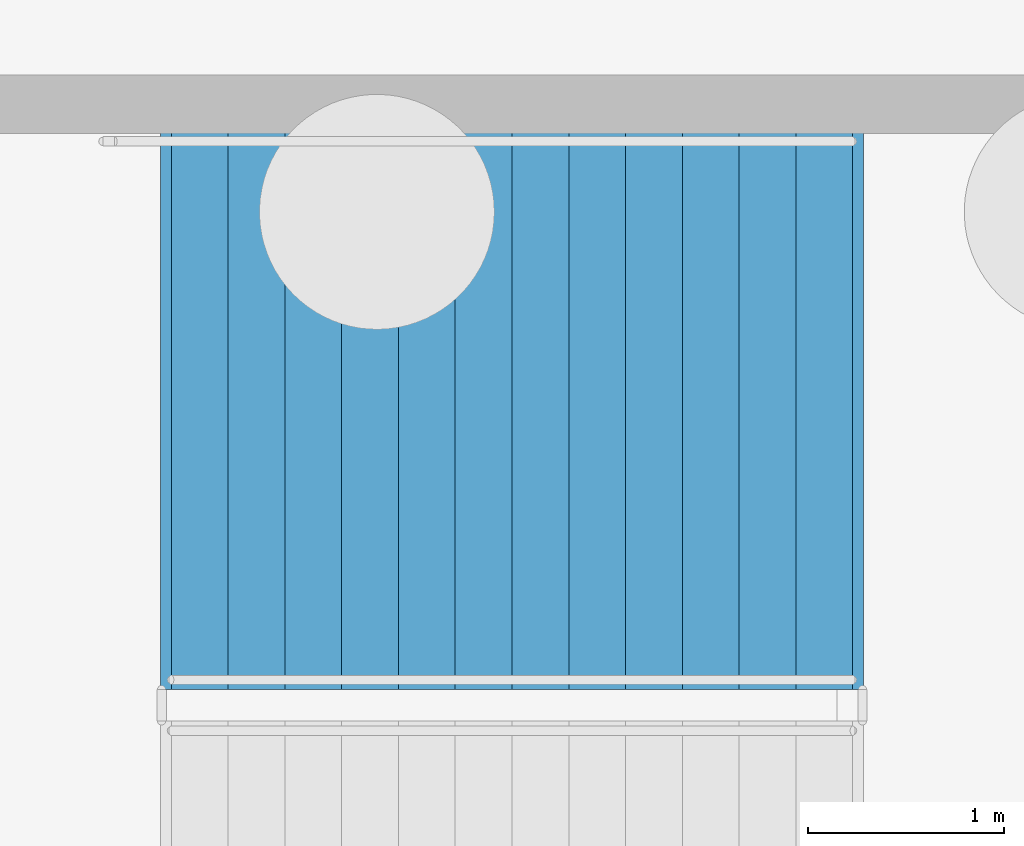
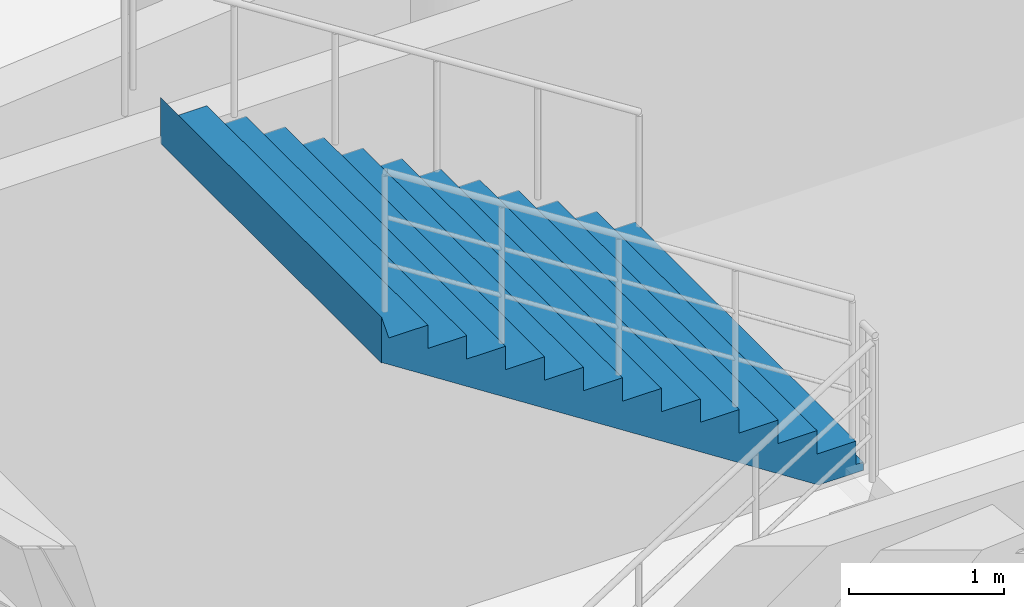
# One storey, part 51 of 68: 1 stair flight, 1 element without a shape of its own.
"""IFC4 building model written with IfcOpenShell, lengths in metres."""

from ifc_helpers import new_model, si_unit, direction, frame, origin, place, context, subcontext, project, spatial, polyline, outline, extrude, material, type_object, element, aggregate, save


model = new_model("IFC4")

# Units and contexts
model_context = context("Model", 3, precision=1e-05, world=origin(), true_north=direction((0.0, 1.0)))
body_context = subcontext(model_context, "Body", "Model", "MODEL_VIEW")
ifc_project = project(units=[si_unit("LENGTHUNIT", "METRE"), si_unit("AREAUNIT", "SQUARE_METRE"), si_unit("VOLUMEUNIT", "CUBIC_METRE"), si_unit("PLANEANGLEUNIT", "RADIAN"), si_unit("MASSUNIT", "GRAM", prefix="KILO")], contexts=[model_context])

# Site, building, storey
site_placement = place(None, origin())
site = spatial("IfcSite", under=ifc_project, at=site_placement, CompositionType="ELEMENT")
building_placement = place(site_placement, origin())
building = spatial("IfcBuilding", under=site, at=building_placement, Name="Cinderbank Siding Concert Hall", CompositionType="ELEMENT")
storey_placement = place(building_placement, frame((0.0, 0.0, -4.800048828125)))
storey = spatial("IfcBuildingStorey", under=building, at=storey_placement, Name="B1", CompositionType="ELEMENT", Elevation=-4.800048828125)

# Stair, stair flight
ifc_material = material(Name="Reinforced concrete AS 3600 N50 (50 MPa)", Category="concrete")
stair_type = type_object("IfcStairType", Name="STR-J Dogleg Exit Stair 2850mm", PredefinedType="HALF_TURN_STAIR", material=ifc_material)
stair_placement = place(storey_placement, origin())
stair = element("IfcStair", 1, at=stair_placement, inside=storey, type_object=stair_type, Name="B1 Fire-isolated Exit Stair ST-01", PredefinedType="HALF_TURN_STAIR")
stair_flight_type = type_object("IfcStairFlightType", Name="SFL-J Concrete Stair Flight 2850mm", PredefinedType="STRAIGHT", material=ifc_material)
stair_flight_placement = place(storey_placement, frame((122.6298828125, 63.18505859375, 2.400146484375), z_axis=(0.0, 0.0, 1.0), x_axis=(-1.0, 0.0, 0.0)))
stair_flight = element("IfcStairFlight", 2, at=stair_flight_placement, type_object=stair_flight_type, Name="ST-01 flight 2", NumberOfRisers=13, NumberOfTreads=12, PredefinedType="STRAIGHT", RiserHeight=0.184615385, TreadLength=0.29, context=body_context, shape_type="SweptSolid", body=[
    extrude(outline(polyline([(0.0, 0.0), (0.0, 0.1845703125), (0.2900390625, 0.1845703125), (0.2900390625, 0.369140625), (0.580078125, 0.369140625), (0.580078125, 0.553955078125), (0.8701171875, 0.553955078125), (0.8701171875, 0.738525390625), (1.159912109375, 0.738525390625), (1.159912109375, 0.923095703125), (1.449951171875, 0.923095703125), (1.449951171875, 1.107666015625), (1.739990234375, 1.107666015625), (1.739990234375, 1.292236328125), (2.030029296875, 1.292236328125), (2.030029296875, 1.476806640625), (2.320068359375, 1.476806640625), (2.320068359375, 1.66162109375), (2.610107421875, 1.66162109375), (2.610107421875, 1.84619140625), (2.89990234375, 1.84619140625), (2.89990234375, 2.03076171875), (3.18994140625, 2.03076171875), (3.18994140625, 2.21533203125), (3.47998046875, 2.21533203125), (3.534912109375, 2.39990234375), (3.534912109375, 2.03759765625), (3.53466796875, 2.037841796875), (3.53466796875, 2.0380859375), (3.53466796875, 2.038330078125), (3.53466796875, 2.03857421875), (3.53466796875, 2.038818359375), (3.53466796875, 2.0390625), (3.53466796875, 2.039306640625), (3.53466796875, 2.03955078125), (3.53466796875, 2.039794921875), (3.53466796875, 2.0400390625), (3.53466796875, 2.040283203125), (3.53466796875, 2.04052734375), (3.534423828125, 2.04052734375), (3.534423828125, 2.040283203125), (3.534423828125, 2.0400390625), (3.534423828125, 2.039794921875), (3.534423828125, 2.03955078125), (3.534423828125, 2.039306640625), (3.534423828125, 2.0390625), (3.534423828125, 2.038818359375), (3.534423828125, 2.03857421875), (3.534423828125, 2.038330078125), (3.534423828125, 2.0380859375), (3.534423828125, 2.037841796875), (3.534423828125, 2.03759765625), (3.5341796875, 2.037841796875), (3.5341796875, 2.0380859375), (3.5341796875, 2.038330078125), (3.5341796875, 2.03857421875), (3.5341796875, 2.038818359375), (3.5341796875, 2.0390625), (3.5341796875, 2.039306640625), (3.5341796875, 2.03955078125), (3.5341796875, 2.039794921875), (3.5341796875, 2.0400390625), (3.5341796875, 2.040283203125), (3.5341796875, 2.04052734375), (3.533935546875, 2.04052734375), (3.533935546875, 2.040283203125), (3.533935546875, 2.0400390625), (3.533935546875, 2.039794921875), (3.533935546875, 2.03955078125), (3.533935546875, 2.039306640625), (3.533935546875, 2.0390625), (3.533935546875, 2.038818359375), (3.533935546875, 2.03857421875), (3.533935546875, 2.038330078125), (3.533935546875, 2.0380859375), (3.533935546875, 2.037841796875), (3.533935546875, 2.03759765625), (3.53369140625, 2.037841796875), (3.53369140625, 2.0380859375), (3.53369140625, 2.038330078125), (3.53369140625, 2.03857421875), (3.53369140625, 2.038818359375), (3.53369140625, 2.0390625), (3.53369140625, 2.039306640625), (3.53369140625, 2.03955078125), (3.53369140625, 2.039794921875), (3.53369140625, 2.0400390625), (3.53369140625, 2.040283203125), (3.53369140625, 2.04052734375), (3.533447265625, 2.04052734375), (3.533447265625, 2.040283203125), (3.533447265625, 2.0400390625), (3.533447265625, 2.039794921875), (3.533447265625, 2.03955078125), (3.533447265625, 2.039306640625), (3.533447265625, 2.0390625), (3.533447265625, 2.038818359375), (3.533447265625, 2.03857421875), (3.533447265625, 2.038330078125), (3.533447265625, 2.0380859375), (3.533447265625, 2.037841796875), (3.533447265625, 2.03759765625), (3.533203125, 2.037841796875), (3.533203125, 2.0380859375), (3.533203125, 2.038330078125), (3.533203125, 2.03857421875), (3.533203125, 2.038818359375), (3.533203125, 2.0390625), (3.533203125, 2.039306640625), (3.533203125, 2.03955078125), (3.533203125, 2.039794921875), (3.533203125, 2.0400390625), (3.533203125, 2.040283203125), (3.533203125, 2.04052734375), (3.532958984375, 2.04052734375), (3.532958984375, 2.040283203125), (3.532958984375, 2.0400390625), (3.532958984375, 2.039794921875), (3.532958984375, 2.03955078125), (3.532958984375, 2.039306640625), (3.532958984375, 2.0390625), (3.532958984375, 2.038818359375), (3.532958984375, 2.03857421875), (3.532958984375, 2.038330078125), (3.532958984375, 2.0380859375), (3.532958984375, 2.037841796875), (3.532958984375, 2.03759765625), (3.53271484375, 2.037841796875), (3.53271484375, 2.0380859375), (3.53271484375, 2.038330078125), (3.53271484375, 2.03857421875), (3.53271484375, 2.038818359375), (3.53271484375, 2.0390625), (3.53271484375, 2.039306640625), (3.53271484375, 2.03955078125), (3.53271484375, 2.039794921875), (3.53271484375, 2.0400390625), (3.53271484375, 2.040283203125), (3.53271484375, 2.04052734375), (3.532470703125, 2.04052734375), (3.532470703125, 2.040283203125), (3.532470703125, 2.0400390625), (3.532470703125, 2.039794921875), (3.532470703125, 2.03955078125), (3.532470703125, 2.039306640625), (3.532470703125, 2.0390625), (3.532470703125, 2.038818359375), (3.532470703125, 2.03857421875), (3.532470703125, 2.038330078125), (3.532470703125, 2.0380859375), (3.532470703125, 2.037841796875), (3.532470703125, 2.03759765625), (3.5322265625, 2.037841796875), (3.5322265625, 2.0380859375), (3.5322265625, 2.038330078125), (3.5322265625, 2.03857421875), (3.5322265625, 2.038818359375), (3.5322265625, 2.0390625), (3.5322265625, 2.039306640625), (3.5322265625, 2.03955078125), (3.5322265625, 2.039794921875), (3.5322265625, 2.0400390625), (3.5322265625, 2.040283203125), (3.5322265625, 2.04052734375), (3.531982421875, 2.04052734375), (3.531982421875, 2.040283203125), (3.531982421875, 2.0400390625), (3.531982421875, 2.039794921875), (3.531982421875, 2.03955078125), (3.531982421875, 2.039306640625), (3.531982421875, 2.0390625), (3.531982421875, 2.038818359375), (3.531982421875, 2.03857421875), (3.531982421875, 2.038330078125), (3.531982421875, 2.0380859375), (3.531982421875, 2.037841796875), (3.531982421875, 2.03759765625), (3.53173828125, 2.037841796875), (3.53173828125, 2.0380859375), (3.53173828125, 2.038330078125), (3.53173828125, 2.03857421875), (3.53173828125, 2.038818359375), (3.53173828125, 2.0390625), (3.53173828125, 2.039306640625), (3.53173828125, 2.03955078125), (3.53173828125, 2.039794921875), (3.53173828125, 2.0400390625), (3.53173828125, 2.040283203125), (3.53173828125, 2.04052734375), (3.531494140625, 2.04052734375), (3.531494140625, 2.040283203125), (3.531494140625, 2.0400390625), (3.531494140625, 2.039794921875), (3.531494140625, 2.03955078125), (3.531494140625, 2.039306640625), (3.531494140625, 2.0390625), (3.531494140625, 2.038818359375), (3.531494140625, 2.03857421875), (3.531494140625, 2.038330078125), (3.531494140625, 2.0380859375), (3.531494140625, 2.037841796875), (3.531494140625, 2.03759765625), (3.53125, 2.037841796875), (3.53125, 2.0380859375), (3.53125, 2.038330078125), (3.53125, 2.03857421875), (3.53125, 2.038818359375), (3.53125, 2.0390625), (3.53125, 2.039306640625), (3.53125, 2.03955078125), (3.53125, 2.039794921875), (3.53125, 2.0400390625), (3.53125, 2.040283203125), (3.53125, 2.04052734375), (3.531005859375, 2.04052734375), (3.531005859375, 2.040283203125), (3.531005859375, 2.0400390625), (3.531005859375, 2.039794921875), (3.531005859375, 2.03955078125), (3.531005859375, 2.039306640625), (3.531005859375, 2.0390625), (3.531005859375, 2.038818359375), (3.531005859375, 2.03857421875), (3.531005859375, 2.038330078125), (3.531005859375, 2.0380859375), (3.531005859375, 2.037841796875), (3.531005859375, 2.03759765625), (3.53076171875, 2.037841796875), (3.53076171875, 2.0380859375), (3.53076171875, 2.038330078125), (3.53076171875, 2.03857421875), (3.53076171875, 2.038818359375), (3.53076171875, 2.0390625), (3.53076171875, 2.039306640625), (3.53076171875, 2.03955078125), (3.53076171875, 2.039794921875), (3.53076171875, 2.0400390625), (3.53076171875, 2.040283203125), (3.53076171875, 2.04052734375), (3.530517578125, 2.04052734375), (3.530517578125, 2.040283203125), (3.530517578125, 2.0400390625), (3.530517578125, 2.039794921875), (3.530517578125, 2.03955078125), (3.530517578125, 2.039306640625), (3.530517578125, 2.0390625), (3.530517578125, 2.038818359375), (3.530517578125, 2.03857421875), (3.530517578125, 2.038330078125), (3.530517578125, 2.0380859375), (3.530517578125, 2.037841796875), (3.530517578125, 2.03759765625), (3.5302734375, 2.037841796875), (3.5302734375, 2.0380859375), (3.5302734375, 2.038330078125), (3.5302734375, 2.03857421875), (3.5302734375, 2.038818359375), (3.5302734375, 2.0390625), (3.5302734375, 2.039306640625), (3.5302734375, 2.03955078125), (3.5302734375, 2.039794921875), (3.5302734375, 2.0400390625), (3.5302734375, 2.040283203125), (3.5302734375, 2.04052734375), (3.530029296875, 2.04052734375), (3.530029296875, 2.040283203125), (3.530029296875, 2.0400390625), (3.530029296875, 2.039794921875), (3.530029296875, 2.03955078125), (3.530029296875, 2.039306640625), (3.530029296875, 2.0390625), (3.530029296875, 2.038818359375), (3.530029296875, 2.03857421875), (3.530029296875, 2.038330078125), (3.530029296875, 2.0380859375), (3.530029296875, 2.037841796875), (3.530029296875, 2.03759765625), (3.52978515625, 2.037841796875), (3.52978515625, 2.0380859375), (3.52978515625, 2.038330078125), (3.52978515625, 2.03857421875), (3.52978515625, 2.038818359375), (3.52978515625, 2.0390625), (3.52978515625, 2.039306640625), (3.52978515625, 2.03955078125), (3.52978515625, 2.039794921875), (3.52978515625, 2.0400390625), (3.52978515625, 2.040283203125), (3.52978515625, 2.04052734375), (3.529541015625, 2.04052734375), (3.529541015625, 2.040283203125), (3.529541015625, 2.0400390625), (3.529541015625, 2.039794921875), (3.529541015625, 2.03955078125), (3.529541015625, 2.039306640625), (3.529541015625, 2.0390625), (3.529541015625, 2.038818359375), (3.529541015625, 2.03857421875), (3.529541015625, 2.038330078125), (3.529541015625, 2.0380859375), (3.529541015625, 2.037841796875), (3.529541015625, 2.03759765625), (3.529296875, 2.037841796875), (3.529296875, 2.0380859375), (3.529296875, 2.038330078125), (3.529296875, 2.03857421875), (3.529296875, 2.038818359375), (3.529296875, 2.0390625), (3.529296875, 2.039306640625), (3.529296875, 2.03955078125), (3.529296875, 2.039794921875), (3.529296875, 2.0400390625), (3.529296875, 2.040283203125), (3.529296875, 2.04052734375), (3.529052734375, 2.04052734375), (3.529052734375, 2.040283203125), (3.529052734375, 2.0400390625), (3.529052734375, 2.039794921875), (3.529052734375, 2.03955078125), (3.529052734375, 2.039306640625), (3.529052734375, 2.0390625), (3.529052734375, 2.038818359375), (3.529052734375, 2.03857421875), (3.529052734375, 2.038330078125), (3.529052734375, 2.0380859375), (3.529052734375, 2.037841796875), (3.529052734375, 2.03759765625), (3.52880859375, 2.037841796875), (3.52880859375, 2.0380859375), (3.52880859375, 2.038330078125), (3.52880859375, 2.03857421875), (3.52880859375, 2.038818359375), (3.52880859375, 2.0390625), (3.52880859375, 2.039306640625), (3.52880859375, 2.03955078125), (3.52880859375, 2.039794921875), (3.52880859375, 2.0400390625), (3.52880859375, 2.040283203125), (3.52880859375, 2.04052734375), (3.528564453125, 2.04052734375), (3.528564453125, 2.040283203125), (3.528564453125, 2.0400390625), (3.528564453125, 2.039794921875), (3.528564453125, 2.03955078125), (3.528564453125, 2.039306640625), (3.528564453125, 2.0390625), (3.528564453125, 2.038818359375), (3.528564453125, 2.03857421875), (3.528564453125, 2.038330078125), (3.528564453125, 2.0380859375), (3.528564453125, 2.037841796875), (3.528564453125, 2.03759765625), (0.279052734375, -0.06396484375), (-0.048583984375, -0.063720703125), (-0.048583984375, -0.0634765625), (-0.048583984375, -0.063232421875), (-0.048583984375, -0.06298828125), (-0.048583984375, -0.062744140625), (-0.048583984375, -0.0625), (-0.048583984375, -0.062255859375), (-0.048583984375, -0.06201171875), (-0.048583984375, -0.061767578125), (-0.048583984375, -0.0615234375), (-0.048583984375, -0.061279296875), (-0.048583984375, -0.06103515625), (-0.048828125, -0.06103515625), (-0.048828125, -0.061279296875), (-0.048828125, -0.0615234375), (-0.048828125, -0.061767578125), (-0.048828125, -0.06201171875), (-0.048828125, -0.062255859375), (-0.048828125, -0.0625), (-0.048828125, -0.062744140625), (-0.048828125, -0.06298828125), (-0.048828125, -0.063232421875), (-0.048828125, -0.0634765625), (-0.048828125, -0.063720703125), (-0.048828125, -0.06396484375), (-0.049072265625, -0.063720703125), (-0.049072265625, -0.0634765625), (-0.049072265625, -0.063232421875), (-0.049072265625, -0.06298828125), (-0.049072265625, -0.062744140625), (-0.049072265625, -0.0625), (-0.049072265625, -0.062255859375), (-0.049072265625, -0.06201171875), (-0.049072265625, -0.061767578125), (-0.049072265625, -0.0615234375), (-0.049072265625, -0.061279296875), (-0.049072265625, -0.06103515625), (-0.04931640625, -0.06103515625), (-0.04931640625, -0.061279296875), (-0.04931640625, -0.0615234375), (-0.04931640625, -0.061767578125), (-0.04931640625, -0.06201171875), (-0.04931640625, -0.062255859375), (-0.04931640625, -0.0625), (-0.04931640625, -0.062744140625), (-0.04931640625, -0.06298828125), (-0.04931640625, -0.063232421875), (-0.04931640625, -0.0634765625), (-0.04931640625, -0.063720703125), (-0.04931640625, -0.06396484375), (-0.049560546875, -0.063720703125), (-0.049560546875, -0.0634765625), (-0.049560546875, -0.063232421875), (-0.049560546875, -0.06298828125), (-0.049560546875, -0.062744140625), (-0.049560546875, -0.0625), (-0.049560546875, -0.062255859375), (-0.049560546875, -0.06201171875), (-0.049560546875, -0.061767578125), (-0.049560546875, -0.0615234375), (-0.049560546875, -0.061279296875), (-0.049560546875, -0.06103515625), (-0.0498046875, -0.06103515625), (-0.0498046875, -0.061279296875), (-0.0498046875, -0.0615234375), (-0.0498046875, -0.061767578125), (-0.0498046875, -0.06201171875), (-0.0498046875, -0.062255859375), (-0.0498046875, -0.0625), (-0.0498046875, -0.062744140625), (-0.0498046875, -0.06298828125), (-0.0498046875, -0.063232421875), (-0.0498046875, -0.0634765625), (-0.0498046875, -0.063720703125), (-0.0498046875, -0.06396484375), (-0.050048828125, -0.063720703125), (-0.050048828125, -0.0634765625), (-0.050048828125, -0.063232421875), (-0.050048828125, -0.06298828125), (-0.050048828125, -0.062744140625), (-0.050048828125, -0.0625), (-0.050048828125, -0.062255859375), (-0.050048828125, -0.06201171875), (-0.050048828125, -0.061767578125), (-0.050048828125, -0.0615234375), (-0.050048828125, -0.061279296875), (-0.050048828125, -0.06103515625), (-0.05029296875, -0.06103515625), (-0.05029296875, -0.061279296875), (-0.05029296875, -0.0615234375), (-0.05029296875, -0.061767578125), (-0.05029296875, -0.06201171875), (-0.05029296875, -0.062255859375), (-0.05029296875, -0.0625), (-0.05029296875, -0.062744140625), (-0.05029296875, -0.06298828125), (-0.05029296875, -0.063232421875), (-0.05029296875, -0.0634765625), (-0.05029296875, -0.063720703125), (-0.05029296875, -0.06396484375), (-0.050537109375, -0.063720703125), (-0.050537109375, -0.0634765625), (-0.050537109375, -0.063232421875), (-0.050537109375, -0.06298828125), (-0.050537109375, -0.062744140625), (-0.050537109375, -0.0625), (-0.050537109375, -0.062255859375), (-0.050537109375, -0.06201171875), (-0.050537109375, -0.061767578125), (-0.050537109375, -0.0615234375), (-0.050537109375, -0.061279296875), (-0.050537109375, -0.06103515625), (-0.05078125, -0.06103515625), (-0.05078125, -0.061279296875), (-0.05078125, -0.0615234375), (-0.05078125, -0.061767578125), (-0.05078125, -0.06201171875), (-0.05078125, -0.062255859375), (-0.05078125, -0.0625), (-0.05078125, -0.062744140625), (-0.05078125, -0.06298828125), (-0.05078125, -0.063232421875), (-0.05078125, -0.0634765625), (-0.05078125, -0.063720703125), (-0.05078125, -0.06396484375), (-0.051025390625, -0.063720703125), (-0.051025390625, -0.0634765625), (-0.051025390625, -0.063232421875), (-0.051025390625, -0.06298828125), (-0.051025390625, -0.062744140625), (-0.051025390625, -0.0625), (-0.051025390625, -0.062255859375), (-0.051025390625, -0.06201171875), (-0.051025390625, -0.061767578125), (-0.051025390625, -0.0615234375), (-0.051025390625, -0.061279296875), (-0.051025390625, -0.06103515625), (-0.05126953125, -0.06103515625), (-0.05126953125, -0.061279296875), (-0.05126953125, -0.0615234375), (-0.05126953125, -0.061767578125), (-0.05126953125, -0.06201171875), (-0.05126953125, -0.062255859375), (-0.05126953125, -0.0625), (-0.05126953125, -0.062744140625), (-0.05126953125, -0.06298828125), (-0.05126953125, -0.063232421875), (-0.05126953125, -0.0634765625), (-0.05126953125, -0.063720703125), (-0.05126953125, -0.06396484375), (-0.051513671875, -0.063720703125), (-0.051513671875, -0.0634765625), (-0.051513671875, -0.063232421875), (-0.051513671875, -0.06298828125), (-0.051513671875, -0.062744140625), (-0.051513671875, -0.0625), (-0.051513671875, -0.062255859375), (-0.051513671875, -0.06201171875), (-0.051513671875, -0.061767578125), (-0.051513671875, -0.0615234375), (-0.051513671875, -0.061279296875), (-0.051513671875, -0.06103515625), (-0.0517578125, -0.06103515625), (-0.0517578125, -0.061279296875), (-0.0517578125, -0.0615234375), (-0.0517578125, -0.061767578125), (-0.0517578125, -0.06201171875), (-0.0517578125, -0.062255859375), (-0.0517578125, -0.0625), (-0.0517578125, -0.062744140625), (-0.0517578125, -0.06298828125), (-0.0517578125, -0.063232421875), (-0.0517578125, -0.0634765625), (-0.0517578125, -0.063720703125), (-0.0517578125, -0.06396484375), (-0.052001953125, -0.063720703125), (-0.052001953125, -0.0634765625), (-0.052001953125, -0.063232421875), (-0.052001953125, -0.06298828125), (-0.052001953125, -0.062744140625), (-0.052001953125, -0.0625), (-0.052001953125, -0.062255859375), (-0.052001953125, -0.06201171875), (-0.052001953125, -0.061767578125), (-0.052001953125, -0.0615234375), (-0.052001953125, -0.061279296875), (-0.052001953125, -0.06103515625), (-0.05224609375, -0.06103515625), (-0.05224609375, -0.061279296875), (-0.05224609375, -0.0615234375), (-0.05224609375, -0.061767578125), (-0.05224609375, -0.06201171875), (-0.05224609375, -0.062255859375), (-0.05224609375, -0.0625), (-0.05224609375, -0.062744140625), (-0.05224609375, -0.06298828125), (-0.05224609375, -0.063232421875), (-0.05224609375, -0.0634765625), (-0.05224609375, -0.063720703125), (-0.05224609375, -0.06396484375), (-0.052490234375, -0.063720703125), (-0.052490234375, -0.0634765625), (-0.052490234375, -0.063232421875), (-0.052490234375, -0.06298828125), (-0.052490234375, -0.062744140625), (-0.052490234375, -0.0625), (-0.052490234375, -0.062255859375), (-0.052490234375, -0.06201171875), (-0.052490234375, -0.061767578125), (-0.052490234375, -0.0615234375), (-0.052490234375, -0.061279296875), (-0.052490234375, -0.06103515625), (-0.052734375, -0.06103515625), (-0.052734375, -0.061279296875), (-0.052734375, -0.0615234375), (-0.052734375, -0.061767578125), (-0.052734375, -0.06201171875), (-0.052734375, -0.062255859375), (-0.052734375, -0.0625), (-0.052734375, -0.062744140625), (-0.052734375, -0.06298828125), (-0.052734375, -0.063232421875), (-0.052734375, -0.0634765625), (-0.052734375, -0.063720703125), (-0.052734375, -0.06396484375), (-0.052978515625, -0.063720703125), (-0.052978515625, -0.0634765625), (-0.052978515625, -0.063232421875), (-0.052978515625, -0.06298828125), (-0.052978515625, -0.062744140625), (-0.052978515625, -0.0625), (-0.052978515625, -0.062255859375), (-0.052978515625, -0.06201171875), (-0.052978515625, -0.061767578125), (-0.052978515625, -0.0615234375), (-0.052978515625, -0.061279296875), (-0.052978515625, -0.06103515625), (-0.05322265625, -0.06103515625), (-0.05322265625, -0.061279296875), (-0.05322265625, -0.0615234375), (-0.05322265625, -0.061767578125), (-0.05322265625, -0.06201171875), (-0.05322265625, -0.062255859375), (-0.05322265625, -0.0625), (-0.05322265625, -0.062744140625), (-0.05322265625, -0.06298828125), (-0.05322265625, -0.063232421875), (-0.05322265625, -0.0634765625), (-0.05322265625, -0.063720703125), (-0.05322265625, -0.06396484375), (-0.053466796875, -0.063720703125), (-0.053466796875, -0.0634765625), (-0.053466796875, -0.063232421875), (-0.053466796875, -0.06298828125), (-0.053466796875, -0.062744140625), (-0.053466796875, -0.0625), (-0.053466796875, -0.062255859375), (-0.053466796875, -0.06201171875), (-0.053466796875, -0.061767578125), (-0.053466796875, -0.0615234375), (-0.053466796875, -0.061279296875), (-0.053466796875, -0.06103515625), (-0.0537109375, -0.06103515625), (-0.0537109375, -0.061279296875), (-0.0537109375, -0.0615234375), (-0.0537109375, -0.061767578125), (-0.0537109375, -0.06201171875), (-0.0537109375, -0.062255859375), (-0.0537109375, -0.0625), (-0.0537109375, -0.062744140625), (-0.0537109375, -0.06298828125), (-0.0537109375, -0.063232421875), (-0.0537109375, -0.0634765625), (-0.0537109375, -0.063720703125), (-0.0537109375, -0.06396484375), (-0.053955078125, -0.063720703125), (-0.053955078125, -0.0634765625), (-0.053955078125, -0.063232421875), (-0.053955078125, -0.06298828125), (-0.053955078125, -0.062744140625), (-0.053955078125, -0.0625), (-0.053955078125, -0.062255859375), (-0.053955078125, -0.06201171875), (-0.053955078125, -0.061767578125), (-0.053955078125, -0.0615234375), (-0.053955078125, -0.061279296875), (-0.053955078125, -0.06103515625), (-0.05419921875, -0.06103515625), (-0.05419921875, -0.061279296875), (-0.05419921875, -0.0615234375), (-0.05419921875, -0.061767578125), (-0.05419921875, -0.06201171875), (-0.05419921875, -0.062255859375), (-0.05419921875, -0.0625), (-0.05419921875, -0.062744140625), (-0.05419921875, -0.06298828125), (-0.05419921875, -0.063232421875), (-0.05419921875, -0.0634765625), (-0.05419921875, -0.063720703125), (-0.05419921875, -0.06396484375), (-0.054443359375, -0.063720703125), (-0.054443359375, -0.0634765625), (-0.054443359375, -0.063232421875), (-0.054443359375, -0.06298828125), (-0.054443359375, -0.062744140625), (-0.054443359375, -0.0625), (-0.054443359375, -0.062255859375), (-0.054443359375, -0.06201171875), (-0.054443359375, -0.061767578125), (-0.054443359375, -0.0615234375), (-0.054443359375, -0.061279296875), (-0.054443359375, -0.06103515625), (-0.0546875, -0.06103515625), (-0.0546875, -0.061279296875), (-0.0546875, -0.0615234375), (-0.0546875, -0.061767578125), (-0.0546875, -0.06201171875), (-0.0546875, -0.062255859375), (-0.0546875, -0.0625), (-0.0546875, -0.062744140625), (-0.0546875, -0.06298828125), (-0.0546875, -0.063232421875), (-0.0546875, -0.0634765625), (-0.0546875, -0.063720703125), (-0.0546875, -0.06396484375), (-0.054931640625, -0.06396484375), (-0.054931640625, 0.0), (0.0, 0.0)])), frame((0.0, 1.425048828125, 0.0), z_axis=(0.0, -1.0, 0.0), x_axis=(1.0, 0.0, 0.0)), (0.0, 0.0, 1.0), 2.85009765625),
])
aggregate(stair, [stair_flight])

save(model, "model.ifc")
